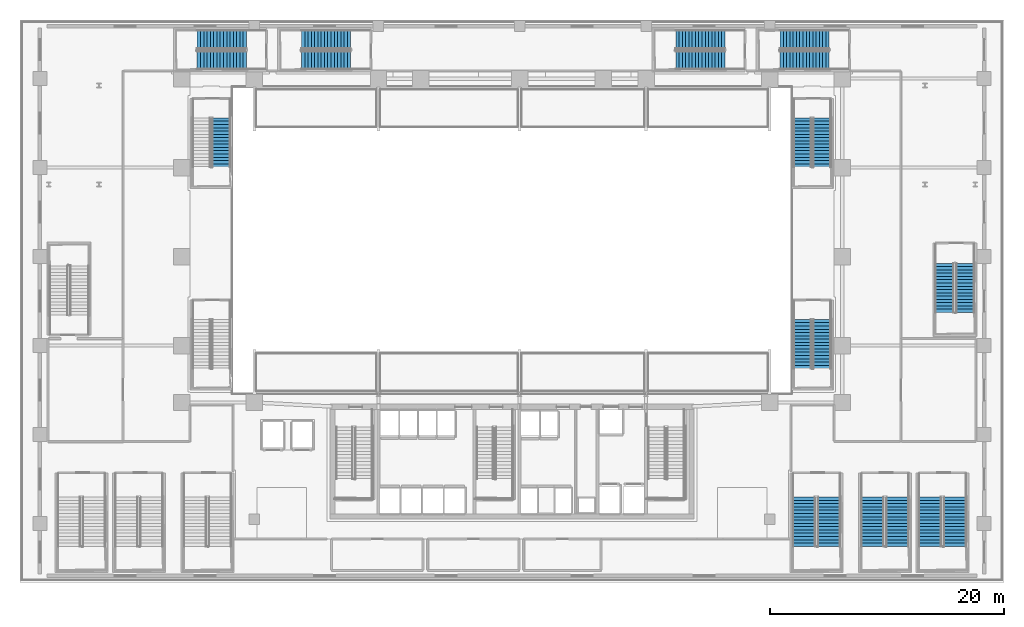
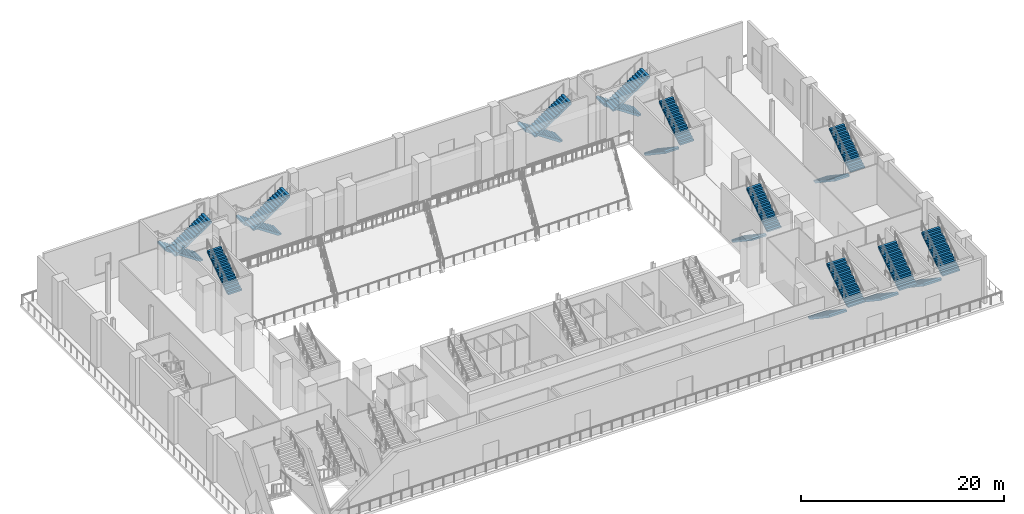
# One storey, part 13 of 30: 21 stair flights, 11 elements without a shape of their own.
"""IFC4 building model written with IfcOpenShell, lengths in metres."""

from ifc_helpers import new_model, si_unit, direction, frame, origin, place, context, subcontext, project, spatial, polyline, outline, extrude, material, type_object, element, aggregate, save


model = new_model("IFC4")

# Units and contexts
model_context = context("Model", 3, precision=1e-05, world=origin(), true_north=direction((0.0, 1.0)))
body_context = subcontext(model_context, "Body", "Model", "MODEL_VIEW")
ifc_project = project(units=[si_unit("LENGTHUNIT", "METRE"), si_unit("AREAUNIT", "SQUARE_METRE"), si_unit("VOLUMEUNIT", "CUBIC_METRE"), si_unit("PLANEANGLEUNIT", "RADIAN"), si_unit("MASSUNIT", "GRAM", prefix="KILO")], contexts=[model_context])

# Site, building, storey
site_placement = place(None, origin())
site = spatial("IfcSite", under=ifc_project, at=site_placement, CompositionType="ELEMENT")
building_placement = place(site_placement, origin())
building = spatial("IfcBuilding", under=site, at=building_placement, Name="Ndaravel Arena Tower", CompositionType="ELEMENT")
storey_placement = place(building_placement, frame((0.0, 0.0, 6.0)))
storey = spatial("IfcBuildingStorey", under=building, at=storey_placement, Name="L01", CompositionType="ELEMENT", Elevation=6.0)

# Stair, stair flights
ifc_material_1 = material(Name="Concrete C40/50", Category="concrete")
stair_type_1 = type_object("IfcStairType", Name="STAIR-ARENA-HT", PredefinedType="HALF_TURN_STAIR", material=ifc_material_1)
stair_1_placement = place(storey_placement, origin())
stair_1 = element("IfcStair", 1, at=stair_1_placement, inside=storey, type_object=stair_type_1, Name="L01 ST-A04", PredefinedType="HALF_TURN_STAIR")
ifc_material_2 = material(Name="Concrete C40/50", Category="concrete")
stair_flight_type_1 = type_object("IfcStairFlightType", Name="SFLIGHT-ARENA-1980", PredefinedType="STRAIGHT", material=ifc_material_2)
stair_flight_1_placement = place(storey_placement, frame((66.93994140625, 7.27001953125, 0.0), z_axis=(0.0, 0.0, 1.0), x_axis=(0.0, -1.0, 0.0)))
stair_flight_1 = element("IfcStairFlight", 2, at=stair_flight_1_placement, type_object=stair_flight_type_1, Name="ST-A04 flight 1", NumberOfRisers=16, NumberOfTreads=15, PredefinedType="STRAIGHT", RiserHeight=0.1875, TreadLength=0.28, context=body_context, shape_type="SweptSolid", body=[
    extrude(outline(polyline([(0.0, 0.0), (0.0, 0.1875), (0.280029296875, 0.1875), (0.280029296875, 0.375), (0.56005859375, 0.375), (0.56005859375, 0.5625), (0.840087890625, 0.5625), (0.840087890625, 0.75), (1.1201171875, 0.75), (1.1201171875, 0.9375), (1.39990234375, 0.9375), (1.39990234375, 1.125), (1.679931640625, 1.125), (1.679931640625, 1.3125), (1.9599609375, 1.3125), (1.9599609375, 1.5), (2.239990234375, 1.5), (2.239990234375, 1.6875), (2.52001953125, 1.6875), (2.52001953125, 1.875), (2.800048828125, 1.875), (2.800048828125, 2.0625), (3.080078125, 2.0625), (3.080078125, 2.25), (3.360107421875, 2.25), (3.360107421875, 2.4375), (3.639892578125, 2.4375), (3.639892578125, 2.625), (3.919921875, 2.625), (3.919921875, 2.8125), (4.199951171875, 2.8125), (4.199951171875, 3.0), (4.199951171875, 2.57177734375), (0.359375, 0.0), (0.0, 0.0)])), frame((0.0, 0.989990234375, 0.0), z_axis=(0.0, -1.0, 0.0), x_axis=(1.0, 0.0, 0.0)), (0.0, 0.0, 1.0), 1.97998046875),
])
stair_flight_2_placement = place(storey_placement, frame((69.06005859375, 3.070068359375, 3.0), z_axis=(0.0, 0.0, 1.0), x_axis=(0.0, 1.0, 0.0)))
stair_flight_2 = element("IfcStairFlight", 3, at=stair_flight_2_placement, type_object=stair_flight_type_1, Name="ST-A04 flight 2", NumberOfRisers=16, NumberOfTreads=15, PredefinedType="STRAIGHT", RiserHeight=0.1875, TreadLength=0.28, context=body_context, shape_type="SweptSolid", body=[
    extrude(outline(polyline([(0.0, 0.0), (0.0, 0.1875), (0.280029296875, 0.1875), (0.280029296875, 0.375), (0.56005859375, 0.375), (0.56005859375, 0.5625), (0.840087890625, 0.5625), (0.840087890625, 0.75), (1.1201171875, 0.75), (1.1201171875, 0.9375), (1.39990234375, 0.9375), (1.39990234375, 1.125), (1.679931640625, 1.125), (1.679931640625, 1.3125), (1.9599609375, 1.3125), (1.9599609375, 1.5), (2.239990234375, 1.5), (2.239990234375, 1.6875), (2.52001953125, 1.6875), (2.52001953125, 1.875), (2.800048828125, 1.875), (2.800048828125, 2.0625), (3.080078125, 2.0625), (3.080078125, 2.25), (3.360107421875, 2.25), (3.360107421875, 2.4375), (3.639892578125, 2.4375), (3.639892578125, 2.625), (3.919921875, 2.625), (3.919921875, 2.8125), (4.199951171875, 2.8125), (4.199951171875, 3.0), (4.199951171875, 2.57177734375), (0.359375, 0.0), (0.0, 0.0)])), frame((0.0, 0.989990234375, 0.0), z_axis=(0.0, -1.0, 0.0), x_axis=(1.0, 0.0, 0.0)), (0.0, 0.0, 1.0), 1.97998046875),
])
aggregate(stair_1, [stair_flight_1, stair_flight_2])

stair_2_placement = place(storey_placement, origin())
stair_2 = element("IfcStair", 4, at=stair_2_placement, inside=storey, type_object=stair_type_1, Name="L01 ST-A05", PredefinedType="HALF_TURN_STAIR")
stair_flight_3_placement = place(storey_placement, frame((72.7900390625, 7.27001953125, 0.0), z_axis=(0.0, 0.0, 1.0), x_axis=(0.0, -1.0, 0.0)))
stair_flight_3 = element("IfcStairFlight", 5, at=stair_flight_3_placement, type_object=stair_flight_type_1, Name="ST-A05 flight 1", NumberOfRisers=16, NumberOfTreads=15, PredefinedType="STRAIGHT", RiserHeight=0.1875, TreadLength=0.28, context=body_context, shape_type="SweptSolid", body=[
    extrude(outline(polyline([(0.0, 0.0), (0.0, 0.1875), (0.280029296875, 0.1875), (0.280029296875, 0.375), (0.56005859375, 0.375), (0.56005859375, 0.5625), (0.840087890625, 0.5625), (0.840087890625, 0.75), (1.1201171875, 0.75), (1.1201171875, 0.9375), (1.39990234375, 0.9375), (1.39990234375, 1.125), (1.679931640625, 1.125), (1.679931640625, 1.3125), (1.9599609375, 1.3125), (1.9599609375, 1.5), (2.239990234375, 1.5), (2.239990234375, 1.6875), (2.52001953125, 1.6875), (2.52001953125, 1.875), (2.800048828125, 1.875), (2.800048828125, 2.0625), (3.080078125, 2.0625), (3.080078125, 2.25), (3.360107421875, 2.25), (3.360107421875, 2.4375), (3.639892578125, 2.4375), (3.639892578125, 2.625), (3.919921875, 2.625), (3.919921875, 2.8125), (4.199951171875, 2.8125), (4.199951171875, 3.0), (4.199951171875, 2.57177734375), (0.359375, 0.0), (0.0, 0.0)])), frame((0.0, 0.989990234375, 0.0), z_axis=(0.0, -1.0, 0.0), x_axis=(1.0, 0.0, 0.0)), (0.0, 0.0, 1.0), 1.97998046875),
])
stair_flight_4_placement = place(storey_placement, frame((74.909912109375, 3.070068359375, 3.0), z_axis=(0.0, 0.0, 1.0), x_axis=(0.0, 1.0, 0.0)))
stair_flight_4 = element("IfcStairFlight", 6, at=stair_flight_4_placement, type_object=stair_flight_type_1, Name="ST-A05 flight 2", NumberOfRisers=16, NumberOfTreads=15, PredefinedType="STRAIGHT", RiserHeight=0.1875, TreadLength=0.28, context=body_context, shape_type="SweptSolid", body=[
    extrude(outline(polyline([(0.0, 0.0), (0.0, 0.1875), (0.280029296875, 0.1875), (0.280029296875, 0.375), (0.56005859375, 0.375), (0.56005859375, 0.5625), (0.840087890625, 0.5625), (0.840087890625, 0.75), (1.1201171875, 0.75), (1.1201171875, 0.9375), (1.39990234375, 0.9375), (1.39990234375, 1.125), (1.679931640625, 1.125), (1.679931640625, 1.3125), (1.9599609375, 1.3125), (1.9599609375, 1.5), (2.239990234375, 1.5), (2.239990234375, 1.6875), (2.52001953125, 1.6875), (2.52001953125, 1.875), (2.800048828125, 1.875), (2.800048828125, 2.0625), (3.080078125, 2.0625), (3.080078125, 2.25), (3.360107421875, 2.25), (3.360107421875, 2.4375), (3.639892578125, 2.4375), (3.639892578125, 2.625), (3.919921875, 2.625), (3.919921875, 2.8125), (4.199951171875, 2.8125), (4.199951171875, 3.0), (4.199951171875, 2.57177734375), (0.359375, 0.0), (0.0, 0.0)])), frame((0.0, 0.989990234375, 0.0), z_axis=(0.0, -1.0, 0.0), x_axis=(1.0, 0.0, 0.0)), (0.0, 0.0, 1.0), 1.97998046875),
])
aggregate(stair_2, [stair_flight_3, stair_flight_4])

stair_3_placement = place(storey_placement, origin())
stair_3 = element("IfcStair", 7, at=stair_3_placement, inside=storey, type_object=stair_type_1, Name="L01 ST-A06", PredefinedType="HALF_TURN_STAIR")
stair_flight_5_placement = place(storey_placement, frame((77.68994140625, 7.27001953125, 0.0), z_axis=(0.0, 0.0, 1.0), x_axis=(0.0, -1.0, 0.0)))
stair_flight_5 = element("IfcStairFlight", 8, at=stair_flight_5_placement, type_object=stair_flight_type_1, Name="ST-A06 flight 1", NumberOfRisers=16, NumberOfTreads=15, PredefinedType="STRAIGHT", RiserHeight=0.1875, TreadLength=0.28, context=body_context, shape_type="SweptSolid", body=[
    extrude(outline(polyline([(0.0, 0.0), (0.0, 0.1875), (0.280029296875, 0.1875), (0.280029296875, 0.375), (0.56005859375, 0.375), (0.56005859375, 0.5625), (0.840087890625, 0.5625), (0.840087890625, 0.75), (1.1201171875, 0.75), (1.1201171875, 0.9375), (1.39990234375, 0.9375), (1.39990234375, 1.125), (1.679931640625, 1.125), (1.679931640625, 1.3125), (1.9599609375, 1.3125), (1.9599609375, 1.5), (2.239990234375, 1.5), (2.239990234375, 1.6875), (2.52001953125, 1.6875), (2.52001953125, 1.875), (2.800048828125, 1.875), (2.800048828125, 2.0625), (3.080078125, 2.0625), (3.080078125, 2.25), (3.360107421875, 2.25), (3.360107421875, 2.4375), (3.639892578125, 2.4375), (3.639892578125, 2.625), (3.919921875, 2.625), (3.919921875, 2.8125), (4.199951171875, 2.8125), (4.199951171875, 3.0), (4.199951171875, 2.57177734375), (0.359375, 0.0), (0.0, 0.0)])), frame((0.0, 0.989990234375, 0.0), z_axis=(0.0, -1.0, 0.0), x_axis=(1.0, 0.0, 0.0)), (0.0, 0.0, 1.0), 1.97998046875),
])
stair_flight_6_placement = place(storey_placement, frame((79.81005859375, 3.070068359375, 3.0), z_axis=(0.0, 0.0, 1.0), x_axis=(0.0, 1.0, 0.0)))
stair_flight_6 = element("IfcStairFlight", 9, at=stair_flight_6_placement, type_object=stair_flight_type_1, Name="ST-A06 flight 2", NumberOfRisers=16, NumberOfTreads=15, PredefinedType="STRAIGHT", RiserHeight=0.1875, TreadLength=0.28, context=body_context, shape_type="SweptSolid", body=[
    extrude(outline(polyline([(0.0, 0.0), (0.0, 0.1875), (0.280029296875, 0.1875), (0.280029296875, 0.375), (0.56005859375, 0.375), (0.56005859375, 0.5625), (0.840087890625, 0.5625), (0.840087890625, 0.75), (1.1201171875, 0.75), (1.1201171875, 0.9375), (1.39990234375, 0.9375), (1.39990234375, 1.125), (1.679931640625, 1.125), (1.679931640625, 1.3125), (1.9599609375, 1.3125), (1.9599609375, 1.5), (2.239990234375, 1.5), (2.239990234375, 1.6875), (2.52001953125, 1.6875), (2.52001953125, 1.875), (2.800048828125, 1.875), (2.800048828125, 2.0625), (3.080078125, 2.0625), (3.080078125, 2.25), (3.360107421875, 2.25), (3.360107421875, 2.4375), (3.639892578125, 2.4375), (3.639892578125, 2.625), (3.919921875, 2.625), (3.919921875, 2.8125), (4.199951171875, 2.8125), (4.199951171875, 3.0), (4.199951171875, 2.57177734375), (0.359375, 0.0), (0.0, 0.0)])), frame((0.0, 0.989990234375, 0.0), z_axis=(0.0, -1.0, 0.0), x_axis=(1.0, 0.0, 0.0)), (0.0, 0.0, 1.0), 1.97998046875),
])
aggregate(stair_3, [stair_flight_5, stair_flight_6])

ifc_material_3 = material(Name="Concrete C40/50", Category="concrete")
stair_type_2 = type_object("IfcStairType", Name="STAIR-POD-QT", PredefinedType="QUARTER_TURN_STAIR", material=ifc_material_3)
stair_4_placement = place(storey_placement, origin())
stair_4 = element("IfcStair", 10, at=stair_4_placement, inside=storey, type_object=stair_type_2, Name="L01 ST-A08", PredefinedType="QUARTER_TURN_STAIR")
stair_flight_7_placement = place(storey_placement, frame((19.330078125, 46.330078125, 0.0), z_axis=(0.0, 0.0, 1.0), x_axis=(-1.0, 0.0, 0.0)))
stair_flight_7 = element("IfcStairFlight", 11, at=stair_flight_7_placement, type_object=stair_flight_type_1, Name="ST-A08 flight 1", NumberOfRisers=16, NumberOfTreads=15, PredefinedType="STRAIGHT", RiserHeight=0.1875, TreadLength=0.28, context=body_context, shape_type="SweptSolid", body=[
    extrude(outline(polyline([(0.0, 0.0), (0.0, 0.1875), (0.280029296875, 0.1875), (0.280029296875, 0.375), (0.56005859375, 0.375), (0.56005859375, 0.5625), (0.840087890625, 0.5625), (0.840087890625, 0.75), (1.1201171875, 0.75), (1.1201171875, 0.9375), (1.39990234375, 0.9375), (1.39990234375, 1.125), (1.679931640625, 1.125), (1.679931640625, 1.3125), (1.9599609375, 1.3125), (1.9599609375, 1.5), (2.239990234375, 1.5), (2.239990234375, 1.6875), (2.52001953125, 1.6875), (2.52001953125, 1.875), (2.800048828125, 1.875), (2.800048828125, 2.0625), (3.080078125, 2.0625), (3.080078125, 2.25), (3.360107421875, 2.25), (3.360107421875, 2.4375), (3.639892578125, 2.4375), (3.639892578125, 2.625), (3.919921875, 2.625), (3.919921875, 2.8125), (4.199951171875, 2.8125), (4.199951171875, 3.0), (4.199951171875, 2.57177734375), (0.359375, 0.0), (0.0, 0.0)])), frame((0.0, 0.81005859375, 0.0), z_axis=(0.0, -1.0, 0.0), x_axis=(1.0, 0.0, 0.0)), (0.0, 0.0, 1.0), 1.6201171875),
])
stair_flight_8_placement = place(storey_placement, frame((15.1298828125, 44.570068359375, 3.0), z_axis=(0.0, 0.0, 1.0), x_axis=(1.0, 0.0, 0.0)))
stair_flight_8 = element("IfcStairFlight", 12, at=stair_flight_8_placement, type_object=stair_flight_type_1, Name="ST-A08 flight 2", NumberOfRisers=16, NumberOfTreads=15, PredefinedType="STRAIGHT", RiserHeight=0.1875, TreadLength=0.28, context=body_context, shape_type="SweptSolid", body=[
    extrude(outline(polyline([(0.0, 0.0), (0.0, 0.1875), (0.280029296875, 0.1875), (0.280029296875, 0.375), (0.56005859375, 0.375), (0.56005859375, 0.5625), (0.840087890625, 0.5625), (0.840087890625, 0.75), (1.1201171875, 0.75), (1.1201171875, 0.9375), (1.39990234375, 0.9375), (1.39990234375, 1.125), (1.679931640625, 1.125), (1.679931640625, 1.3125), (1.9599609375, 1.3125), (1.9599609375, 1.5), (2.239990234375, 1.5), (2.239990234375, 1.6875), (2.52001953125, 1.6875), (2.52001953125, 1.875), (2.800048828125, 1.875), (2.800048828125, 2.0625), (3.080078125, 2.0625), (3.080078125, 2.25), (3.360107421875, 2.25), (3.360107421875, 2.4375), (3.639892578125, 2.4375), (3.639892578125, 2.625), (3.919921875, 2.625), (3.919921875, 2.8125), (4.199951171875, 2.8125), (4.199951171875, 3.0), (4.199951171875, 2.57177734375), (0.359375, 0.0), (0.0, 0.0)])), frame((0.0, 0.81005859375, 0.0), z_axis=(0.0, -1.0, 0.0), x_axis=(1.0, 0.0, 0.0)), (0.0, 0.0, 1.0), 1.6201171875),
])
aggregate(stair_4, [stair_flight_7, stair_flight_8])

stair_5_placement = place(storey_placement, origin())
stair_5 = element("IfcStair", 13, at=stair_5_placement, inside=storey, type_object=stair_type_2, Name="L01 ST-A09", PredefinedType="QUARTER_TURN_STAIR")
stair_flight_9_placement = place(storey_placement, frame((28.22998046875, 46.330078125, 0.0), z_axis=(0.0, 0.0, 1.0), x_axis=(-1.0, 0.0, 0.0)))
stair_flight_9 = element("IfcStairFlight", 14, at=stair_flight_9_placement, type_object=stair_flight_type_1, Name="ST-A09 flight 1", NumberOfRisers=16, NumberOfTreads=15, PredefinedType="STRAIGHT", RiserHeight=0.1875, TreadLength=0.28, context=body_context, shape_type="SweptSolid", body=[
    extrude(outline(polyline([(0.0, 0.0), (0.0, 0.1875), (0.280029296875, 0.1875), (0.280029296875, 0.375), (0.56005859375, 0.375), (0.56005859375, 0.5625), (0.840087890625, 0.5625), (0.840087890625, 0.75), (1.1201171875, 0.75), (1.1201171875, 0.9375), (1.39990234375, 0.9375), (1.39990234375, 1.125), (1.679931640625, 1.125), (1.679931640625, 1.3125), (1.9599609375, 1.3125), (1.9599609375, 1.5), (2.239990234375, 1.5), (2.239990234375, 1.6875), (2.52001953125, 1.6875), (2.52001953125, 1.875), (2.800048828125, 1.875), (2.800048828125, 2.0625), (3.080078125, 2.0625), (3.080078125, 2.25), (3.360107421875, 2.25), (3.360107421875, 2.4375), (3.639892578125, 2.4375), (3.639892578125, 2.625), (3.919921875, 2.625), (3.919921875, 2.8125), (4.199951171875, 2.8125), (4.199951171875, 3.0), (4.199951171875, 2.57177734375), (0.359375, 0.0), (0.0, 0.0)])), frame((0.0, 0.81005859375, 0.0), z_axis=(0.0, -1.0, 0.0), x_axis=(1.0, 0.0, 0.0)), (0.0, 0.0, 1.0), 1.6201171875),
])
stair_flight_10_placement = place(storey_placement, frame((24.030029296875, 44.570068359375, 3.0), z_axis=(0.0, 0.0, 1.0), x_axis=(1.0, 0.0, 0.0)))
stair_flight_10 = element("IfcStairFlight", 15, at=stair_flight_10_placement, type_object=stair_flight_type_1, Name="ST-A09 flight 2", NumberOfRisers=16, NumberOfTreads=15, PredefinedType="STRAIGHT", RiserHeight=0.1875, TreadLength=0.28, context=body_context, shape_type="SweptSolid", body=[
    extrude(outline(polyline([(0.0, 0.0), (0.0, 0.1875), (0.280029296875, 0.1875), (0.280029296875, 0.375), (0.56005859375, 0.375), (0.56005859375, 0.5625), (0.840087890625, 0.5625), (0.840087890625, 0.75), (1.1201171875, 0.75), (1.1201171875, 0.9375), (1.39990234375, 0.9375), (1.39990234375, 1.125), (1.679931640625, 1.125), (1.679931640625, 1.3125), (1.9599609375, 1.3125), (1.9599609375, 1.5), (2.239990234375, 1.5), (2.239990234375, 1.6875), (2.52001953125, 1.6875), (2.52001953125, 1.875), (2.800048828125, 1.875), (2.800048828125, 2.0625), (3.080078125, 2.0625), (3.080078125, 2.25), (3.360107421875, 2.25), (3.360107421875, 2.4375), (3.639892578125, 2.4375), (3.639892578125, 2.625), (3.919921875, 2.625), (3.919921875, 2.8125), (4.199951171875, 2.8125), (4.199951171875, 3.0), (4.199951171875, 2.57177734375), (0.359375, 0.0), (0.0, 0.0)])), frame((0.0, 0.81005859375, 0.0), z_axis=(0.0, -1.0, 0.0), x_axis=(1.0, 0.0, 0.0)), (0.0, 0.0, 1.0), 1.6201171875),
])
aggregate(stair_5, [stair_flight_9, stair_flight_10])

stair_6_placement = place(storey_placement, origin())
stair_6 = element("IfcStair", 16, at=stair_6_placement, inside=storey, type_object=stair_type_2, Name="L01 ST-A10", PredefinedType="QUARTER_TURN_STAIR")
stair_flight_11_placement = place(storey_placement, frame((60.179931640625, 46.330078125, 0.0), z_axis=(0.0, 0.0, 1.0), x_axis=(-1.0, 0.0, 0.0)))
stair_flight_11 = element("IfcStairFlight", 17, at=stair_flight_11_placement, type_object=stair_flight_type_1, Name="ST-A10 flight 1", NumberOfRisers=16, NumberOfTreads=15, PredefinedType="STRAIGHT", RiserHeight=0.1875, TreadLength=0.28, context=body_context, shape_type="SweptSolid", body=[
    extrude(outline(polyline([(0.0, 0.0), (0.0, 0.1875), (0.280029296875, 0.1875), (0.280029296875, 0.375), (0.56005859375, 0.375), (0.56005859375, 0.5625), (0.840087890625, 0.5625), (0.840087890625, 0.75), (1.1201171875, 0.75), (1.1201171875, 0.9375), (1.39990234375, 0.9375), (1.39990234375, 1.125), (1.679931640625, 1.125), (1.679931640625, 1.3125), (1.9599609375, 1.3125), (1.9599609375, 1.5), (2.239990234375, 1.5), (2.239990234375, 1.6875), (2.52001953125, 1.6875), (2.52001953125, 1.875), (2.800048828125, 1.875), (2.800048828125, 2.0625), (3.080078125, 2.0625), (3.080078125, 2.25), (3.360107421875, 2.25), (3.360107421875, 2.4375), (3.639892578125, 2.4375), (3.639892578125, 2.625), (3.919921875, 2.625), (3.919921875, 2.8125), (4.199951171875, 2.8125), (4.199951171875, 3.0), (4.199951171875, 2.57177734375), (0.359375, 0.0), (0.0, 0.0)])), frame((0.0, 0.81005859375, 0.0), z_axis=(0.0, -1.0, 0.0), x_axis=(1.0, 0.0, 0.0)), (0.0, 0.0, 1.0), 1.6201171875),
])
stair_flight_12_placement = place(storey_placement, frame((55.97998046875, 44.570068359375, 3.0), z_axis=(0.0, 0.0, 1.0), x_axis=(1.0, 0.0, 0.0)))
stair_flight_12 = element("IfcStairFlight", 18, at=stair_flight_12_placement, type_object=stair_flight_type_1, Name="ST-A10 flight 2", NumberOfRisers=16, NumberOfTreads=15, PredefinedType="STRAIGHT", RiserHeight=0.1875, TreadLength=0.28, context=body_context, shape_type="SweptSolid", body=[
    extrude(outline(polyline([(0.0, 0.0), (0.0, 0.1875), (0.280029296875, 0.1875), (0.280029296875, 0.375), (0.56005859375, 0.375), (0.56005859375, 0.5625), (0.840087890625, 0.5625), (0.840087890625, 0.75), (1.1201171875, 0.75), (1.1201171875, 0.9375), (1.39990234375, 0.9375), (1.39990234375, 1.125), (1.679931640625, 1.125), (1.679931640625, 1.3125), (1.9599609375, 1.3125), (1.9599609375, 1.5), (2.239990234375, 1.5), (2.239990234375, 1.6875), (2.52001953125, 1.6875), (2.52001953125, 1.875), (2.800048828125, 1.875), (2.800048828125, 2.0625), (3.080078125, 2.0625), (3.080078125, 2.25), (3.360107421875, 2.25), (3.360107421875, 2.4375), (3.639892578125, 2.4375), (3.639892578125, 2.625), (3.919921875, 2.625), (3.919921875, 2.8125), (4.199951171875, 2.8125), (4.199951171875, 3.0), (4.199951171875, 2.57177734375), (0.359375, 0.0), (0.0, 0.0)])), frame((0.0, 0.81005859375, 0.0), z_axis=(0.0, -1.0, 0.0), x_axis=(1.0, 0.0, 0.0)), (0.0, 0.0, 1.0), 1.6201171875),
])
aggregate(stair_6, [stair_flight_11, stair_flight_12])

stair_7_placement = place(storey_placement, origin())
stair_7 = element("IfcStair", 19, at=stair_7_placement, inside=storey, type_object=stair_type_2, Name="L01 ST-A11", PredefinedType="QUARTER_TURN_STAIR")
stair_flight_13_placement = place(storey_placement, frame((69.080078125, 46.330078125, 0.0), z_axis=(0.0, 0.0, 1.0), x_axis=(-1.0, 0.0, 0.0)))
stair_flight_13 = element("IfcStairFlight", 20, at=stair_flight_13_placement, type_object=stair_flight_type_1, Name="ST-A11 flight 1", NumberOfRisers=16, NumberOfTreads=15, PredefinedType="STRAIGHT", RiserHeight=0.1875, TreadLength=0.28, context=body_context, shape_type="SweptSolid", body=[
    extrude(outline(polyline([(0.0, 0.0), (0.0, 0.1875), (0.280029296875, 0.1875), (0.280029296875, 0.375), (0.56005859375, 0.375), (0.56005859375, 0.5625), (0.840087890625, 0.5625), (0.840087890625, 0.75), (1.1201171875, 0.75), (1.1201171875, 0.9375), (1.39990234375, 0.9375), (1.39990234375, 1.125), (1.679931640625, 1.125), (1.679931640625, 1.3125), (1.9599609375, 1.3125), (1.9599609375, 1.5), (2.239990234375, 1.5), (2.239990234375, 1.6875), (2.52001953125, 1.6875), (2.52001953125, 1.875), (2.800048828125, 1.875), (2.800048828125, 2.0625), (3.080078125, 2.0625), (3.080078125, 2.25), (3.360107421875, 2.25), (3.360107421875, 2.4375), (3.639892578125, 2.4375), (3.639892578125, 2.625), (3.919921875, 2.625), (3.919921875, 2.8125), (4.199951171875, 2.8125), (4.199951171875, 3.0), (4.199951171875, 2.57177734375), (0.359375, 0.0), (0.0, 0.0)])), frame((0.0, 0.81005859375, 0.0), z_axis=(0.0, -1.0, 0.0), x_axis=(1.0, 0.0, 0.0)), (0.0, 0.0, 1.0), 1.6201171875),
])
stair_flight_14_placement = place(storey_placement, frame((64.8798828125, 44.570068359375, 3.0), z_axis=(0.0, 0.0, 1.0), x_axis=(1.0, 0.0, 0.0)))
stair_flight_14 = element("IfcStairFlight", 21, at=stair_flight_14_placement, type_object=stair_flight_type_1, Name="ST-A11 flight 2", NumberOfRisers=16, NumberOfTreads=15, PredefinedType="STRAIGHT", RiserHeight=0.1875, TreadLength=0.28, context=body_context, shape_type="SweptSolid", body=[
    extrude(outline(polyline([(0.0, 0.0), (0.0, 0.1875), (0.280029296875, 0.1875), (0.280029296875, 0.375), (0.56005859375, 0.375), (0.56005859375, 0.5625), (0.840087890625, 0.5625), (0.840087890625, 0.75), (1.1201171875, 0.75), (1.1201171875, 0.9375), (1.39990234375, 0.9375), (1.39990234375, 1.125), (1.679931640625, 1.125), (1.679931640625, 1.3125), (1.9599609375, 1.3125), (1.9599609375, 1.5), (2.239990234375, 1.5), (2.239990234375, 1.6875), (2.52001953125, 1.6875), (2.52001953125, 1.875), (2.800048828125, 1.875), (2.800048828125, 2.0625), (3.080078125, 2.0625), (3.080078125, 2.25), (3.360107421875, 2.25), (3.360107421875, 2.4375), (3.639892578125, 2.4375), (3.639892578125, 2.625), (3.919921875, 2.625), (3.919921875, 2.8125), (4.199951171875, 2.8125), (4.199951171875, 3.0), (4.199951171875, 2.57177734375), (0.359375, 0.0), (0.0, 0.0)])), frame((0.0, 0.81005859375, 0.0), z_axis=(0.0, -1.0, 0.0), x_axis=(1.0, 0.0, 0.0)), (0.0, 0.0, 1.0), 1.6201171875),
])
aggregate(stair_7, [stair_flight_13, stair_flight_14])

stair_8_placement = place(storey_placement, origin())
stair_8 = element("IfcStair", 22, at=stair_8_placement, inside=storey, type_object=stair_type_2, Name="L01 ST-A12", PredefinedType="QUARTER_TURN_STAIR")
stair_flight_15_placement = place(storey_placement, frame((78.929931640625, 27.22998046875, 0.0), z_axis=(0.0, 0.0, 1.0), x_axis=(0.0, -1.0, 0.0)))
stair_flight_15 = element("IfcStairFlight", 23, at=stair_flight_15_placement, type_object=stair_flight_type_1, Name="ST-A12 flight 1", NumberOfRisers=16, NumberOfTreads=15, PredefinedType="STRAIGHT", RiserHeight=0.1875, TreadLength=0.28, context=body_context, shape_type="SweptSolid", body=[
    extrude(outline(polyline([(0.0, 0.0), (0.0, 0.1875), (0.280029296875, 0.1875), (0.280029296875, 0.375), (0.56005859375, 0.375), (0.56005859375, 0.5625), (0.840087890625, 0.5625), (0.840087890625, 0.75), (1.1201171875, 0.75), (1.1201171875, 0.9375), (1.39990234375, 0.9375), (1.39990234375, 1.125), (1.679931640625, 1.125), (1.679931640625, 1.3125), (1.9599609375, 1.3125), (1.9599609375, 1.5), (2.239990234375, 1.5), (2.239990234375, 1.6875), (2.52001953125, 1.6875), (2.52001953125, 1.875), (2.800048828125, 1.875), (2.800048828125, 2.0625), (3.080078125, 2.0625), (3.080078125, 2.25), (3.360107421875, 2.25), (3.360107421875, 2.4375), (3.639892578125, 2.4375), (3.639892578125, 2.625), (3.919921875, 2.625), (3.919921875, 2.8125), (4.199951171875, 2.8125), (4.199951171875, 3.0), (4.199951171875, 2.57177734375), (0.359375, 0.0), (0.0, 0.0)])), frame((0.0, 0.81005859375, 0.0), z_axis=(0.0, -1.0, 0.0), x_axis=(1.0, 0.0, 0.0)), (0.0, 0.0, 1.0), 1.6201171875),
])
stair_flight_16_placement = place(storey_placement, frame((80.68994140625, 23.030029296875, 3.0), z_axis=(0.0, 0.0, 1.0), x_axis=(0.0, 1.0, 0.0)))
stair_flight_16 = element("IfcStairFlight", 24, at=stair_flight_16_placement, type_object=stair_flight_type_1, Name="ST-A12 flight 2", NumberOfRisers=16, NumberOfTreads=15, PredefinedType="STRAIGHT", RiserHeight=0.1875, TreadLength=0.28, context=body_context, shape_type="SweptSolid", body=[
    extrude(outline(polyline([(0.0, 0.0), (0.0, 0.1875), (0.280029296875, 0.1875), (0.280029296875, 0.375), (0.56005859375, 0.375), (0.56005859375, 0.5625), (0.840087890625, 0.5625), (0.840087890625, 0.75), (1.1201171875, 0.75), (1.1201171875, 0.9375), (1.39990234375, 0.9375), (1.39990234375, 1.125), (1.679931640625, 1.125), (1.679931640625, 1.3125), (1.9599609375, 1.3125), (1.9599609375, 1.5), (2.239990234375, 1.5), (2.239990234375, 1.6875), (2.52001953125, 1.6875), (2.52001953125, 1.875), (2.800048828125, 1.875), (2.800048828125, 2.0625), (3.080078125, 2.0625), (3.080078125, 2.25), (3.360107421875, 2.25), (3.360107421875, 2.4375), (3.639892578125, 2.4375), (3.639892578125, 2.625), (3.919921875, 2.625), (3.919921875, 2.8125), (4.199951171875, 2.8125), (4.199951171875, 3.0), (4.199951171875, 2.57177734375), (0.359375, 0.0), (0.0, 0.0)])), frame((0.0, 0.81005859375, 0.0), z_axis=(0.0, -1.0, 0.0), x_axis=(1.0, 0.0, 0.0)), (0.0, 0.0, 1.0), 1.6201171875),
])
aggregate(stair_8, [stair_flight_15, stair_flight_16])

# Stair, stair flight
ifc_material_4 = material(Name="Concrete C40/50", Category="concrete")
stair_type_3 = type_object("IfcStairType", Name="STAIR-VOM-STR", PredefinedType="STRAIGHT_RUN_STAIR", material=ifc_material_4)
stair_9_placement = place(storey_placement, origin())
stair_9 = element("IfcStair", 25, at=stair_9_placement, inside=storey, type_object=stair_type_3, Name="L01 ST-VOM-2", PredefinedType="STRAIGHT_RUN_STAIR")
ifc_material_5 = material(Name="Concrete C40/50", Category="concrete")
stair_flight_type_2 = type_object("IfcStairFlightType", Name="SFLIGHT-VOM-1350", PredefinedType="STRAIGHT", material=ifc_material_5)
stair_flight_17_placement = place(storey_placement, frame((17.179931640625, 35.43994140625, 3.0), z_axis=(0.0, 0.0, 1.0), x_axis=(0.0, 1.0, 0.0)))
stair_flight_17 = element("IfcStairFlight", 26, at=stair_flight_17_placement, type_object=stair_flight_type_2, Name="ST-VOM-2 flight 2", NumberOfRisers=16, NumberOfTreads=15, PredefinedType="STRAIGHT", RiserHeight=0.1875, TreadLength=0.28, context=body_context, shape_type="SweptSolid", body=[
    extrude(outline(polyline([(0.0, 0.0), (0.0, 0.1875), (0.280029296875, 0.1875), (0.280029296875, 0.375), (0.56005859375, 0.375), (0.56005859375, 0.5625), (0.840087890625, 0.5625), (0.840087890625, 0.75), (1.1201171875, 0.75), (1.1201171875, 0.9375), (1.39990234375, 0.9375), (1.39990234375, 1.125), (1.679931640625, 1.125), (1.679931640625, 1.3125), (1.9599609375, 1.3125), (1.9599609375, 1.5), (2.239990234375, 1.5), (2.239990234375, 1.6875), (2.52001953125, 1.6875), (2.52001953125, 1.875), (2.800048828125, 1.875), (2.800048828125, 2.0625), (3.080078125, 2.0625), (3.080078125, 2.25), (3.360107421875, 2.25), (3.360107421875, 2.4375), (3.639892578125, 2.4375), (3.639892578125, 2.625), (3.919921875, 2.625), (3.919921875, 2.8125), (4.199951171875, 2.8125), (4.199951171875, 3.0), (4.199951171875, 2.595947265625), (0.323486328125, 0.0), (0.0, 0.0)])), frame((0.0, 0.780029296875, 0.0), z_axis=(0.0, -1.0, 0.0), x_axis=(1.0, 0.0, 0.0)), (0.0, 0.0, 1.0), 1.56005859375),
])
aggregate(stair_9, [stair_flight_17])

# Stair, stair flights
stair_10_placement = place(storey_placement, origin())
stair_10 = element("IfcStair", 27, at=stair_10_placement, inside=storey, type_object=stair_type_3, Name="L01 ST-VOM-3", PredefinedType="STRAIGHT_RUN_STAIR")
stair_flight_18_placement = place(storey_placement, frame((66.780029296875, 22.43994140625, 0.0), z_axis=(0.0, 0.0, 1.0), x_axis=(0.0, -1.0, 0.0)))
stair_flight_18 = element("IfcStairFlight", 28, at=stair_flight_18_placement, type_object=stair_flight_type_2, Name="ST-VOM-3 flight 1", NumberOfRisers=16, NumberOfTreads=15, PredefinedType="STRAIGHT", RiserHeight=0.1875, TreadLength=0.28, context=body_context, shape_type="SweptSolid", body=[
    extrude(outline(polyline([(0.0, 0.0), (0.0, 0.1875), (0.280029296875, 0.1875), (0.280029296875, 0.375), (0.56005859375, 0.375), (0.56005859375, 0.5625), (0.840087890625, 0.5625), (0.840087890625, 0.75), (1.1201171875, 0.75), (1.1201171875, 0.9375), (1.39990234375, 0.9375), (1.39990234375, 1.125), (1.679931640625, 1.125), (1.679931640625, 1.3125), (1.9599609375, 1.3125), (1.9599609375, 1.5), (2.239990234375, 1.5), (2.239990234375, 1.6875), (2.52001953125, 1.6875), (2.52001953125, 1.875), (2.800048828125, 1.875), (2.800048828125, 2.0625), (3.080078125, 2.0625), (3.080078125, 2.25), (3.360107421875, 2.25), (3.360107421875, 2.4375), (3.639892578125, 2.4375), (3.639892578125, 2.625), (3.919921875, 2.625), (3.919921875, 2.8125), (4.199951171875, 2.8125), (4.199951171875, 3.0), (4.199951171875, 2.595947265625), (0.323486328125, 0.0), (0.0, 0.0)])), frame((0.0, 0.780029296875, 0.0), z_axis=(0.0, -1.0, 0.0), x_axis=(1.0, 0.0, 0.0)), (0.0, 0.0, 1.0), 1.56005859375),
])
stair_flight_19_placement = place(storey_placement, frame((68.47998046875, 18.239990234375, 3.0), z_axis=(0.0, 0.0, 1.0), x_axis=(0.0, 1.0, 0.0)))
stair_flight_19 = element("IfcStairFlight", 29, at=stair_flight_19_placement, type_object=stair_flight_type_2, Name="ST-VOM-3 flight 2", NumberOfRisers=16, NumberOfTreads=15, PredefinedType="STRAIGHT", RiserHeight=0.1875, TreadLength=0.28, context=body_context, shape_type="SweptSolid", body=[
    extrude(outline(polyline([(0.0, 0.0), (0.0, 0.1875), (0.280029296875, 0.1875), (0.280029296875, 0.375), (0.56005859375, 0.375), (0.56005859375, 0.5625), (0.840087890625, 0.5625), (0.840087890625, 0.75), (1.1201171875, 0.75), (1.1201171875, 0.9375), (1.39990234375, 0.9375), (1.39990234375, 1.125), (1.679931640625, 1.125), (1.679931640625, 1.3125), (1.9599609375, 1.3125), (1.9599609375, 1.5), (2.239990234375, 1.5), (2.239990234375, 1.6875), (2.52001953125, 1.6875), (2.52001953125, 1.875), (2.800048828125, 1.875), (2.800048828125, 2.0625), (3.080078125, 2.0625), (3.080078125, 2.25), (3.360107421875, 2.25), (3.360107421875, 2.4375), (3.639892578125, 2.4375), (3.639892578125, 2.625), (3.919921875, 2.625), (3.919921875, 2.8125), (4.199951171875, 2.8125), (4.199951171875, 3.0), (4.199951171875, 2.595947265625), (0.323486328125, 0.0), (0.0, 0.0)])), frame((0.0, 0.780029296875, 0.0), z_axis=(0.0, -1.0, 0.0), x_axis=(1.0, 0.0, 0.0)), (0.0, 0.0, 1.0), 1.56005859375),
])
aggregate(stair_10, [stair_flight_18, stair_flight_19])

stair_11_placement = place(storey_placement, origin())
stair_11 = element("IfcStair", 30, at=stair_11_placement, inside=storey, type_object=stair_type_3, Name="L01 ST-VOM-4", PredefinedType="STRAIGHT_RUN_STAIR")
stair_flight_20_placement = place(storey_placement, frame((66.780029296875, 39.639892578125, 0.0), z_axis=(0.0, 0.0, 1.0), x_axis=(0.0, -1.0, 0.0)))
stair_flight_20 = element("IfcStairFlight", 31, at=stair_flight_20_placement, type_object=stair_flight_type_2, Name="ST-VOM-4 flight 1", NumberOfRisers=16, NumberOfTreads=15, PredefinedType="STRAIGHT", RiserHeight=0.1875, TreadLength=0.28, context=body_context, shape_type="SweptSolid", body=[
    extrude(outline(polyline([(0.0, 0.0), (0.0, 0.1875), (0.280029296875, 0.1875), (0.280029296875, 0.375), (0.56005859375, 0.375), (0.56005859375, 0.5625), (0.840087890625, 0.5625), (0.840087890625, 0.75), (1.1201171875, 0.75), (1.1201171875, 0.9375), (1.39990234375, 0.9375), (1.39990234375, 1.125), (1.679931640625, 1.125), (1.679931640625, 1.3125), (1.9599609375, 1.3125), (1.9599609375, 1.5), (2.239990234375, 1.5), (2.239990234375, 1.6875), (2.52001953125, 1.6875), (2.52001953125, 1.875), (2.800048828125, 1.875), (2.800048828125, 2.0625), (3.080078125, 2.0625), (3.080078125, 2.25), (3.360107421875, 2.25), (3.360107421875, 2.4375), (3.639892578125, 2.4375), (3.639892578125, 2.625), (3.919921875, 2.625), (3.919921875, 2.8125), (4.199951171875, 2.8125), (4.199951171875, 3.0), (4.199951171875, 2.595947265625), (0.323486328125, 0.0), (0.0, 0.0)])), frame((0.0, 0.780029296875, 0.0), z_axis=(0.0, -1.0, 0.0), x_axis=(1.0, 0.0, 0.0)), (0.0, 0.0, 1.0), 1.56005859375),
])
stair_flight_21_placement = place(storey_placement, frame((68.47998046875, 35.43994140625, 3.0), z_axis=(0.0, 0.0, 1.0), x_axis=(0.0, 1.0, 0.0)))
stair_flight_21 = element("IfcStairFlight", 32, at=stair_flight_21_placement, type_object=stair_flight_type_2, Name="ST-VOM-4 flight 2", NumberOfRisers=16, NumberOfTreads=15, PredefinedType="STRAIGHT", RiserHeight=0.1875, TreadLength=0.28, context=body_context, shape_type="SweptSolid", body=[
    extrude(outline(polyline([(0.0, 0.0), (0.0, 0.1875), (0.280029296875, 0.1875), (0.280029296875, 0.375), (0.56005859375, 0.375), (0.56005859375, 0.5625), (0.840087890625, 0.5625), (0.840087890625, 0.75), (1.1201171875, 0.75), (1.1201171875, 0.9375), (1.39990234375, 0.9375), (1.39990234375, 1.125), (1.679931640625, 1.125), (1.679931640625, 1.3125), (1.9599609375, 1.3125), (1.9599609375, 1.5), (2.239990234375, 1.5), (2.239990234375, 1.6875), (2.52001953125, 1.6875), (2.52001953125, 1.875), (2.800048828125, 1.875), (2.800048828125, 2.0625), (3.080078125, 2.0625), (3.080078125, 2.25), (3.360107421875, 2.25), (3.360107421875, 2.4375), (3.639892578125, 2.4375), (3.639892578125, 2.625), (3.919921875, 2.625), (3.919921875, 2.8125), (4.199951171875, 2.8125), (4.199951171875, 3.0), (4.199951171875, 2.595947265625), (0.323486328125, 0.0), (0.0, 0.0)])), frame((0.0, 0.780029296875, 0.0), z_axis=(0.0, -1.0, 0.0), x_axis=(1.0, 0.0, 0.0)), (0.0, 0.0, 1.0), 1.56005859375),
])
aggregate(stair_11, [stair_flight_20, stair_flight_21])

save(model, "model.ifc")
